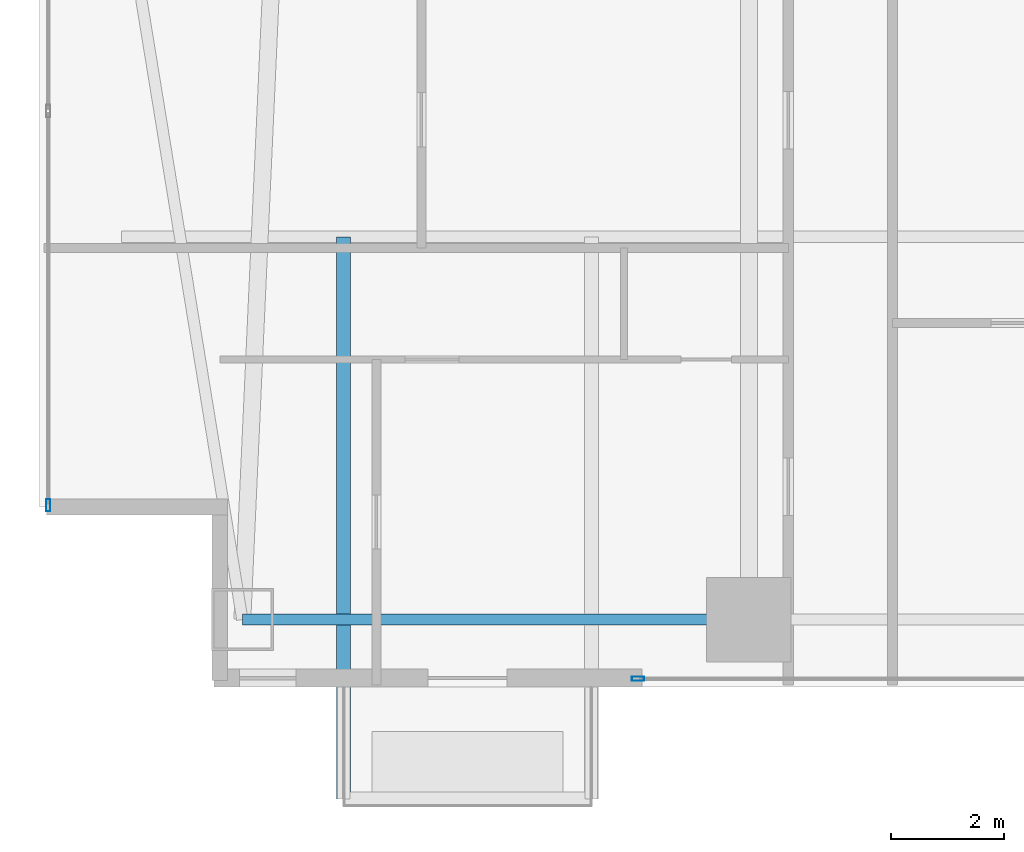
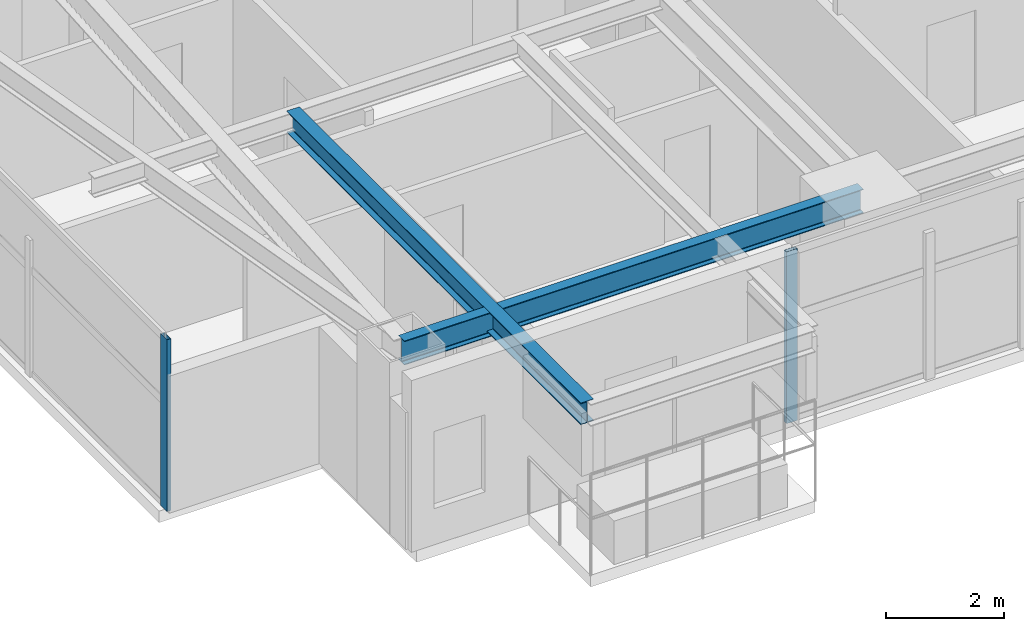
# One storey, part 2 of 30: 2 beams, 2 members, 2 elements without a shape of their own.
"""IFC4 building model written with IfcOpenShell, lengths in metres."""

from ifc_helpers import new_model, si_unit, direction, frame, origin, origin_2d, place, context, subcontext, project, spatial, hollow_rectangle, i_section, extrude, material, layer, layer_set, material_profile, profile_set, type_object, element, aggregate, save


model = new_model("IFC4")

# Units and contexts
model_context = context("Model", 3, precision=1e-05, world=origin(), true_north=direction((0.0, 1.0)))
body_context = subcontext(model_context, "Body", "Model", "MODEL_VIEW")
ifc_project = project(units=[si_unit("LENGTHUNIT", "METRE"), si_unit("AREAUNIT", "SQUARE_METRE"), si_unit("VOLUMEUNIT", "CUBIC_METRE"), si_unit("PLANEANGLEUNIT", "RADIAN"), si_unit("MASSUNIT", "GRAM", prefix="KILO")], contexts=[model_context])

# Site, building, storey
site_placement = place(None, origin())
site = spatial("IfcSite", under=ifc_project, at=site_placement, CompositionType="ELEMENT")
building_placement = place(site_placement, origin())
building = spatial("IfcBuilding", under=site, at=building_placement, Name="Calvorn Quay Hotel", CompositionType="ELEMENT")
storey_placement = place(building_placement, frame((0.0, 0.0, 73.60009765625)))
storey = spatial("IfcBuildingStorey", under=building, at=storey_placement, Name="L17", CompositionType="ELEMENT", Elevation=73.60009765625)

# Beams
ifc_material_1 = material(Name="Steel Q355B", Category="steel")
ifc_material_profile_1 = material_profile(ifc_material_1, i_section(OverallWidth=0.25, OverallDepth=0.449951171875, WebThickness=0.011962890625, FlangeThickness=0.01611328125, FilletRadius=0.01611328125, at=origin_2d()), Name="HN450x250x12x16")
ifc_profile_set_1 = profile_set([ifc_material_profile_1], Name="Steel Q355B")
beam_type_1 = type_object("IfcBeamType", Name="BM-CANT-BALC", PredefinedType="BEAM", material=ifc_profile_set_1)
beam_1_placement = place(storey_placement, frame((5.39990234375, 10.39990234375, 3.31494140625), z_axis=(0.0, -1.0, 0.0), x_axis=(1.0, 0.0, 0.0)))
element("IfcBeam", 1, at=beam_1_placement, inside=storey, type_object=beam_type_1, Name="Cantilever Balcony Beam BCB-L18-2A", PredefinedType="BEAM", context=body_context, shape_type="SweptSolid", body=[
    extrude(i_section(OverallWidth=0.25, OverallDepth=0.449951171875, WebThickness=0.011962890625, FlangeThickness=0.01611328125, FilletRadius=0.01611328125, at=origin_2d()), origin(), (0.0, 0.0, 1.0), 9.989990234375),
])
ifc_material_2 = material(Name="Steel Q355B", Category="steel")
ifc_material_profile_2 = material_profile(ifc_material_2, i_section(OverallWidth=0.199951171875, OverallDepth=0.5, WebThickness=0.010009765625, FlangeThickness=0.01611328125, FilletRadius=0.01611328125, at=origin_2d()), Name="HN500x200x10x16")
ifc_profile_set_2 = profile_set([ifc_material_profile_2], Name="Steel Q355B")
beam_type_2 = type_object("IfcBeamType", Name="BM-SPANDREL-Z1", PredefinedType="SPANDREL", material=ifc_profile_set_2)
beam_2_placement = place(storey_placement, frame((3.60009765625, 3.60009765625, 3.289794921875), z_axis=(1.0, 0.0, 0.0), x_axis=(0.0, 1.0, 0.0)))
element("IfcBeam", 2, at=beam_2_placement, inside=storey, type_object=beam_type_2, Name="Beam BSP-L17-S1", PredefinedType="SPANDREL", context=body_context, shape_type="SweptSolid", body=[
    extrude(i_section(OverallWidth=0.199951171875, OverallDepth=0.5, WebThickness=0.010009765625, FlangeThickness=0.01611328125, FilletRadius=0.01611328125, at=origin_2d()), origin(), (0.0, 0.0, 1.0), 9.0),
])

# Curtain wall, member
ifc_material_3 = material(Name="Pale Anodised Aluminium and Low-E Glass", Category="aluminium")
ifc_layer = layer(ifc_material_3, 0.219970703125)
ifc_layer_set = layer_set([ifc_layer], Name="CW-SYS-Z1")
curtain_wall_type = type_object("IfcCurtainWallType", Name="CW-SYS-Z1", PredefinedType="NOTDEFINED", material=ifc_layer_set)
curtain_wall_1_placement = place(storey_placement, origin())
curtain_wall_1 = element("IfcCurtainWall", 3, at=curtain_wall_1_placement, inside=storey, type_object=curtain_wall_type, Name="Tower West Curtain Wall (L17)", PredefinedType="NOTDEFINED")
ifc_material_4 = material(Name="Pale Anodised Aluminium 6063-T6", Category="aluminium")
ifc_material_profile_3 = material_profile(ifc_material_4, hollow_rectangle(XDim=0.074951171875, YDim=0.219970703125, WallThickness=0.00439453125, at=origin_2d()), Name="ALU-M220x75x4.5")
ifc_profile_set_3 = profile_set([ifc_material_profile_3], Name="Pale Anodised Aluminium 6063-T6")
member_type = type_object("IfcMemberType", Name="CW-SYS-Z1-MUL", PredefinedType="MULLION", material=ifc_profile_set_3)
member_1_placement = place(storey_placement, frame((0.14990234375, 5.6298828125, 0.0), z_axis=(0.0, 0.0, 1.0), x_axis=(-1.0, 0.0, 0.0)))
member_1 = element("IfcMember", 4, at=member_1_placement, type_object=member_type, Name="CW-L17-W mullion 1", PredefinedType="MULLION", context=body_context, shape_type="SweptSolid", body=[
    extrude(hollow_rectangle(XDim=0.074951171875, YDim=0.219970703125, WallThickness=0.00439453125, at=origin_2d()), origin(), (0.0, 0.0, 1.0), 3.559814453125),
])
aggregate(curtain_wall_1, [member_1])

curtain_wall_2_placement = place(storey_placement, origin())
curtain_wall_2 = element("IfcCurtainWall", 5, at=curtain_wall_2_placement, inside=storey, type_object=curtain_wall_type, Name="Tower South Waterfront Curtain Wall (L17)", PredefinedType="NOTDEFINED")
member_2_placement = place(storey_placement, frame((10.6298828125, 2.550048828125, 0.0), z_axis=(0.0, 0.0, 1.0), x_axis=(0.0, 1.0, 0.0)))
member_2 = element("IfcMember", 6, at=member_2_placement, type_object=member_type, Name="CW-L17-S mullion 1", PredefinedType="MULLION", context=body_context, shape_type="SweptSolid", body=[
    extrude(hollow_rectangle(XDim=0.074951171875, YDim=0.219970703125, WallThickness=0.00439453125, at=origin_2d()), origin(), (0.0, 0.0, 1.0), 3.559814453125),
])
aggregate(curtain_wall_2, [member_2])

save(model, "model.ifc")
